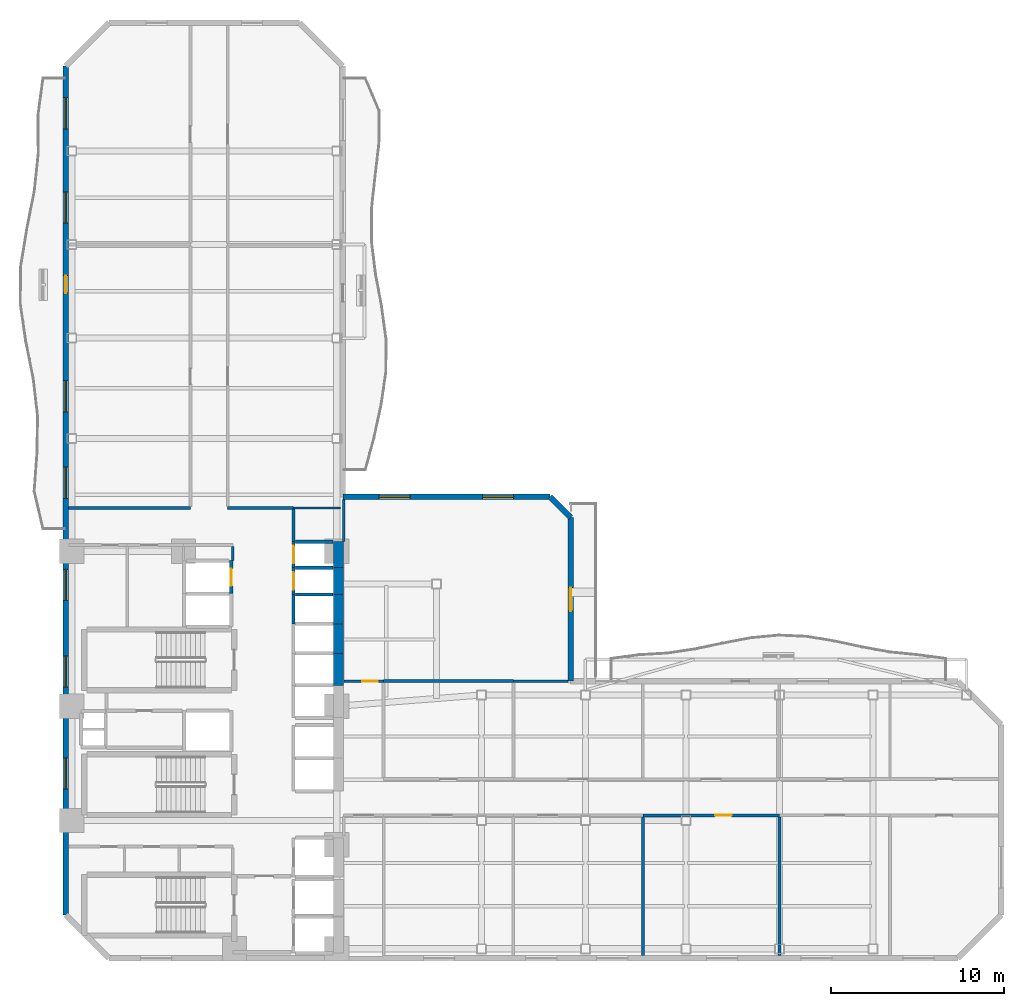
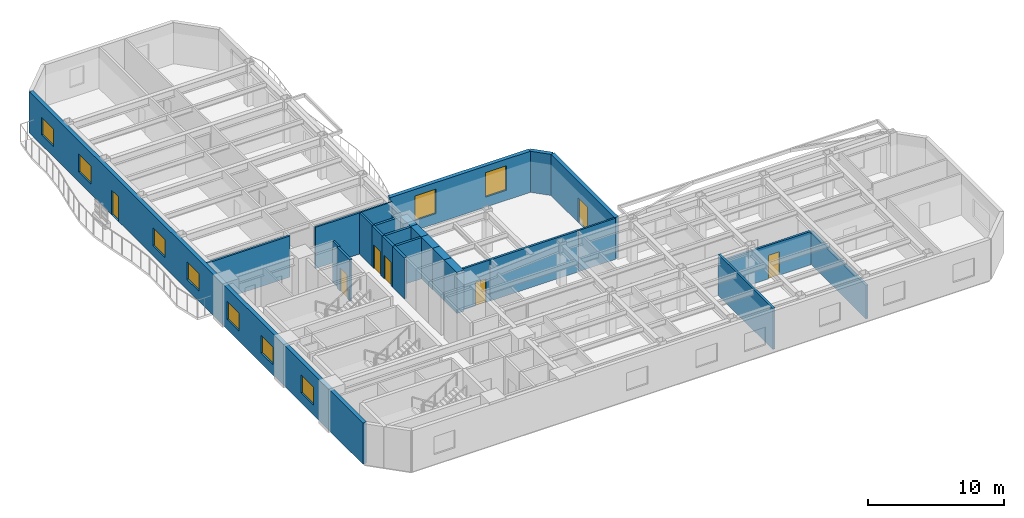
# One storey, part 5 of 10: 28 walls, 9 windows, 7 doors, 16 openings.
"""IFC4 building model written with IfcOpenShell, lengths in metres."""

from ifc_helpers import new_model, si_unit, direction, frame, frame_2d, origin, place, context, subcontext, project, spatial, rectangle, extrude, material, layer, layer_set, type_object, element, fill, save


model = new_model("IFC4")

# Units and contexts
model_context = context("Model", 3, precision=1e-05, world=origin(), true_north=direction((0.0, 1.0)))
body_context = subcontext(model_context, "Body", "Model", "MODEL_VIEW")
ifc_project = project(units=[si_unit("LENGTHUNIT", "METRE"), si_unit("AREAUNIT", "SQUARE_METRE"), si_unit("VOLUMEUNIT", "CUBIC_METRE"), si_unit("PLANEANGLEUNIT", "RADIAN"), si_unit("MASSUNIT", "GRAM", prefix="KILO")], contexts=[model_context])

# Site, building, storey
site_placement = place(None, origin())
site = spatial("IfcSite", under=ifc_project, at=site_placement, CompositionType="ELEMENT")
building_placement = place(site_placement, origin())
building = spatial("IfcBuilding", under=site, at=building_placement, Name="Mawjaban Terraces University", CompositionType="ELEMENT")
storey_placement = place(building_placement, frame((0.0, 0.0, 62.199951171875)))
storey = spatial("IfcBuildingStorey", under=building, at=storey_placement, Name="L14", CompositionType="ELEMENT", Elevation=62.199951171875)

# Wall
ifc_material_1 = material(Name="Acoustic masonry blockwork", Category="masonry")
ifc_layer_1 = layer(ifc_material_1, 0.179931640625)
ifc_layer_set_1 = layer_set([ifc_layer_1], Name="Acoustic masonry blockwork")
wall_type_1 = type_object("IfcWallType", Name="AcousticStudioWall_180", PredefinedType="PARTITIONING", material=ifc_layer_set_1)
wall_1_placement = place(storey_placement, frame((47.840087890625, 16.0, 0.0), z_axis=(0.0, 0.0, 1.0), x_axis=(-1.0, 0.0, 0.0)))
element("IfcWall", 1, at=wall_1_placement, inside=storey, type_object=wall_type_1, Name="L14 Design Studio 3 Partition 22", PredefinedType="PARTITIONING", context=body_context, shape_type="SweptSolid", body=[
    extrude(rectangle(XDim=7.489990234375, YDim=0.179931640625, at=frame_2d((3.7451171875, 0.0))), origin(), (0.0, 0.0, 1.0), 3.68994140625),
])

# Wall, opening, door
wall_2_placement = place(storey_placement, frame((55.320068359375, 8.25, 0.0), z_axis=(0.0, 0.0, 1.0), x_axis=(1.0, 0.0, 0.0)))
wall_2 = element("IfcWall", 2, at=wall_2_placement, inside=storey, type_object=wall_type_1, Name="L14 East Academic Spine Corridor Partition 23", PredefinedType="PARTITIONING", context=body_context, shape_type="SweptSolid", body=[
    extrude(rectangle(XDim=7.8798828125, YDim=0.179931640625, at=frame_2d((3.93994140625, 0.0))), origin(), (0.0, 0.0, 1.0), 2.9951171875),
])
opening_1_placement = place(wall_2_placement, frame((4.1650390625, 0.0, 0.0)))
opening_1 = element("IfcOpeningElement", 3, at=opening_1_placement, cuts=wall_2, Name="Opening ID-095", PredefinedType="OPENING", context=body_context, shape_type="SweptSolid", body=[
    extrude(rectangle(XDim=0.949951171875, YDim=2.10009765625, at=frame_2d((0.47509765625, 1.050048828125))), frame((0.0, 0.099853515625, 0.0), z_axis=(0.0, -1.0, 0.0), x_axis=(1.0, 0.0, 0.0)), (0.0, 0.0, 1.0), 0.199951171875),
])
ifc_material_2 = material(Name="Powder-coated steel frame and solid acoustic timber leaf", Category="steel")
door_type_1 = type_object("IfcDoorType", Name="StudioDoor_950x2100", OperationType="NOTDEFINED", PredefinedType="DOOR", material=ifc_material_2)
door_1_placement = place(opening_1_placement, origin())
door_1 = element("IfcDoor", 4, at=door_1_placement, inside=storey, type_object=door_type_1, Name="L14 Design Studio 6 Door", OperationType="SINGLE_SWING_RIGHT", OverallHeight=2.10009765625, OverallWidth=0.949951171875, PredefinedType="DOOR", context=body_context, shape_type="SweptSolid", body=[
    extrude(rectangle(XDim=0.949951171875, YDim=2.10009765625, at=frame_2d((0.47509765625, 1.050048828125))), frame((0.0, 0.02490234375, 0.0), z_axis=(0.0, -1.0, 0.0), x_axis=(1.0, 0.0, 0.0)), (0.0, 0.0, 1.0), 0.050048828125),
])
fill(opening_1, door_1)

# Walls
wall_3_placement = place(storey_placement, frame((55.320068359375, 0.155029296875, 0.0), z_axis=(0.0, 0.0, 1.0), x_axis=(0.0, 1.0, 0.0)))
element("IfcWall", 5, at=wall_3_placement, inside=storey, type_object=wall_type_1, Name="L14 Computational Laboratory 4 Partition 48", PredefinedType="PARTITIONING", context=body_context, shape_type="SweptSolid", body=[
    extrude(rectangle(XDim=8.010009765625, YDim=0.179931640625, at=frame_2d((4.0048828125, 0.0))), origin(), (0.0, 0.0, 1.0), 3.68994140625),
])
wall_4_placement = place(storey_placement, frame((63.199951171875, 0.155029296875, 0.0), z_axis=(0.0, 0.0, 1.0), x_axis=(0.0, 1.0, 0.0)))
element("IfcWall", 6, at=wall_4_placement, inside=storey, type_object=wall_type_1, Name="L14 Design Studio 6 Partition 50", PredefinedType="PARTITIONING", context=body_context, shape_type="SweptSolid", body=[
    extrude(rectangle(XDim=8.010009765625, YDim=0.179931640625, at=frame_2d((4.0048828125, 0.0))), origin(), (0.0, 0.0, 1.0), 2.9951171875),
])
ifc_material_3 = material(Name="Concrete C70/85", Category="concrete")
ifc_layer_2 = layer(ifc_material_3, 0.60009765625)
ifc_layer_set_2 = layer_set([ifc_layer_2], Name="Concrete C70/85")
wall_type_2 = type_object("IfcWallType", Name="CoreShearWall_600", PredefinedType="SHEAR", material=ifc_layer_set_2)
wall_5_placement = place(storey_placement, frame((37.75, 15.75, 0.0), z_axis=(0.0, 0.0, 1.0), x_axis=(0.0, 1.0, 0.0)))
element("IfcWall", 7, at=wall_5_placement, inside=storey, type_object=wall_type_2, Name="L14 Lift OL-2 Hoistway Wall East", PredefinedType="SHEAR", context=body_context, shape_type="SweptSolid", body=[
    extrude(rectangle(XDim=1.85009765625, YDim=0.60009765625, at=frame_2d((0.925048828125, 0.0))), origin(), (0.0, 0.0, 1.0), 3.68994140625),
])
for number, where, z_axis, x_axis, name in (
    (8, (37.75, 17.60009765625, 0.0), (0.0, 0.0, 1.0), (0.0, 1.0, 0.0), "L14 Lift PL-M1 Hoistway Wall East"),
    (9, (37.75, 19.300048828125, 0.0), (0.0, 0.0, 1.0), (0.0, 1.0, 0.0), "L14 Lift PL-M2 Hoistway Wall East"),
):
    element("IfcWall", number, at=place(storey_placement, frame(where, z_axis=z_axis, x_axis=x_axis)), inside=storey, type_object=wall_type_2, Name=name, PredefinedType="SHEAR", context=body_context, shape_type="SweptSolid", body=[
        extrude(rectangle(XDim=1.699951171875, YDim=0.60009765625, at=frame_2d((0.85009765625, 0.0))), origin(), (0.0, 0.0, 1.0), 3.68994140625),
    ])
wall_6_placement = place(storey_placement, frame((37.75, 21.0, 0.0), z_axis=(0.0, 0.0, 1.0), x_axis=(0.0, 1.0, 0.0)))
element("IfcWall", 10, at=wall_6_placement, inside=storey, type_object=wall_type_2, Name="L14 Lift PL-L1 Hoistway Wall East", PredefinedType="SHEAR", context=body_context, shape_type="SweptSolid", body=[
    extrude(rectangle(XDim=1.550048828125, YDim=0.60009765625, at=frame_2d((0.77490234375, 0.0))), origin(), (0.0, 0.0, 1.0), 3.68994140625),
])
wall_7_placement = place(storey_placement, frame((37.75, 22.550048828125, 0.0), z_axis=(0.0, 0.0, 1.0), x_axis=(0.0, 1.0, 0.0)))
element("IfcWall", 11, at=wall_7_placement, inside=storey, type_object=wall_type_2, Name="L14 Lift PL-L2 Hoistway Wall East", PredefinedType="SHEAR", context=body_context, shape_type="SweptSolid", body=[
    extrude(rectangle(XDim=1.5, YDim=0.60009765625, at=frame_2d((0.75, 0.0))), origin(), (0.0, 0.0, 1.0), 3.68994140625),
])
ifc_material_4 = material(Name="Fire-rated gypsum board on steel stud", Category="steel")
ifc_layer_3 = layer(ifc_material_4, 0.159912109375)
ifc_layer_set_3 = layer_set([ifc_layer_3], Name="Fire-rated gypsum board on steel stud")
wall_type_3 = type_object("IfcWallType", Name="CorridorPartition_160", PredefinedType="PARTITIONING", material=ifc_layer_set_3)
wall_8_placement = place(storey_placement, frame((29.199951171875, 26.0, 0.0), z_axis=(0.0, 0.0, 1.0), x_axis=(-1.0, 0.0, 0.0)))
element("IfcWall", 12, at=wall_8_placement, inside=storey, type_object=wall_type_3, Name="L14 North Core Cross-Corridor Partition 9", PredefinedType="PARTITIONING", context=body_context, shape_type="SweptSolid", body=[
    extrude(rectangle(XDim=7.044921875, YDim=0.159912109375, at=frame_2d((3.5224609375, 0.0))), origin(), (0.0, 0.0, 1.0), 3.68994140625),
])
wall_9_placement = place(storey_placement, frame((35.14990234375, 26.0, 0.0), z_axis=(0.0, 0.0, 1.0), x_axis=(-1.0, 0.0, 0.0)))
element("IfcWall", 13, at=wall_9_placement, inside=storey, type_object=wall_type_3, Name="L14 North Core Cross-Corridor Partition 13", PredefinedType="PARTITIONING", context=body_context, shape_type="SweptSolid", body=[
    extrude(rectangle(XDim=3.7998046875, YDim=0.159912109375, at=frame_2d((1.89990234375, 0.0))), origin(), (0.0, 0.0, 1.0), 3.68994140625),
])

# Wall, opening, door
wall_10_placement = place(storey_placement, frame((40.35009765625, 16.0, 0.0), z_axis=(0.0, 0.0, 1.0), x_axis=(-1.0, 0.0, 0.0)))
wall_10 = element("IfcWall", 14, at=wall_10_placement, inside=storey, type_object=wall_type_3, Name="L14 East Academic Corridor Vestibule Partition 18", PredefinedType="PARTITIONING", context=body_context, shape_type="SweptSolid", body=[
    extrude(rectangle(XDim=2.27001953125, YDim=0.159912109375, at=frame_2d((1.135009765625, 0.0))), origin(), (0.0, 0.0, 1.0), 3.68994140625),
])
opening_2_placement = place(wall_10_placement, frame((0.3349609375, 0.0, 0.0)))
opening_2 = element("IfcOpeningElement", 15, at=opening_2_placement, cuts=wall_10, Name="Opening ID-090", PredefinedType="OPENING", context=body_context, shape_type="SweptSolid", body=[
    extrude(rectangle(XDim=0.89990234375, YDim=2.10009765625, at=frame_2d((0.449951171875, 1.050048828125))), frame((0.0, 0.08984375, 0.0), z_axis=(0.0, -1.0, 0.0), x_axis=(1.0, 0.0, 0.0)), (0.0, 0.0, 1.0), 0.179931640625),
])
door_type_2 = type_object("IfcDoorType", Name="OfficeDoor_900x2100", OperationType="NOTDEFINED", PredefinedType="DOOR", material=ifc_material_2)
door_2_placement = place(opening_2_placement, origin())
door_2 = element("IfcDoor", 16, at=door_2_placement, inside=storey, type_object=door_type_2, Name="L14 Terrace Collaborative Study Room Door", OperationType="SINGLE_SWING_RIGHT", OverallHeight=2.10009765625, OverallWidth=0.89990234375, PredefinedType="DOOR", context=body_context, shape_type="SweptSolid", body=[
    extrude(rectangle(XDim=0.89990234375, YDim=2.10009765625, at=frame_2d((0.449951171875, 1.050048828125))), frame((0.0, 0.02490234375, 0.0), z_axis=(0.0, -1.0, 0.0), x_axis=(1.0, 0.0, 0.0)), (0.0, 0.0, 1.0), 0.050048828125),
])
fill(opening_2, door_2)

# Walls
wall_11_placement = place(storey_placement, frame((31.64990234375, 23.77490234375, 0.0), z_axis=(0.0, 0.0, 1.0), x_axis=(0.0, -1.0, 0.0)))
element("IfcWall", 17, at=wall_11_placement, inside=storey, type_object=wall_type_3, Name="L14 Passenger Lift Lobby Partition 40", PredefinedType="PARTITIONING", context=body_context, shape_type="SweptSolid", body=[
    extrude(rectangle(XDim=0.824951171875, YDim=0.159912109375, at=frame_2d((0.41259765625, 0.0))), origin(), (0.0, 0.0, 1.0), 3.68994140625),
])
wall_12_placement = place(storey_placement, frame((35.14990234375, 24.070068359375, 0.0), z_axis=(0.0, 0.0, 1.0), x_axis=(0.0, 1.0, 0.0)))
element("IfcWall", 18, at=wall_12_placement, inside=storey, type_object=wall_type_3, Name="L14 North Core Cross-Corridor Partition 41", PredefinedType="PARTITIONING", context=body_context, shape_type="SweptSolid", body=[
    extrude(rectangle(XDim=1.85498046875, YDim=0.159912109375, at=frame_2d((0.927490234375, 0.0))), origin(), (0.0, 0.0, 1.0), 3.68994140625),
])

# Wall, opening, door
ifc_material_5 = material(Name="Insulated terracotta rainscreen on concrete backup C40/50", Category="masonry")
ifc_layer_4 = layer(ifc_material_5, 0.320068359375)
ifc_layer_set_4 = layer_set([ifc_layer_4], Name="Insulated terracotta rainscreen on concrete backup C40/50")
wall_type_4 = type_object("IfcWallType", Name="ExtTerracottaWall_320", PredefinedType="SOLIDWALL", material=ifc_layer_set_4)
wall_13_placement = place(storey_placement, frame((51.14990234375, 16.0, 0.0), z_axis=(0.0, 0.0, 1.0), x_axis=(0.0, 1.0, 0.0)))
wall_13 = element("IfcWall", 19, at=wall_13_placement, inside=storey, type_object=wall_type_4, Name="L14 Exterior Terracotta Wall 6", PredefinedType="SOLIDWALL", context=body_context, shape_type="SweptSolid", body=[
    extrude(rectangle(XDim=9.44189453125, YDim=0.320068359375, at=frame_2d((4.720947265625, 0.0))), origin(), (0.0, 0.0, 1.0), 3.68994140625),
])
opening_3_placement = place(wall_13_placement, frame((4.0458984375, 0.0, 0.0)))
opening_3 = element("IfcOpeningElement", 20, at=opening_3_placement, cuts=wall_13, Name="Opening TD-135", PredefinedType="OPENING", context=body_context, shape_type="SweptSolid", body=[
    extrude(rectangle(XDim=1.35009765625, YDim=2.199951171875, at=frame_2d((0.675048828125, 1.10009765625))), frame((0.0, 0.169921875, 0.0), z_axis=(0.0, -1.0, 0.0), x_axis=(1.0, 0.0, 0.0)), (0.0, 0.0, 1.0), 0.340087890625),
])
ifc_material_6 = material(Name="Thermally broken anodised aluminium and laminated safety glass", Category="aluminium")
door_type_3 = type_object("IfcDoorType", Name="TerraceGlazedDoor_1350x2200", OperationType="NOTDEFINED", PredefinedType="DOOR", material=ifc_material_6)
door_3_placement = place(opening_3_placement, origin())
door_3 = element("IfcDoor", 21, at=door_3_placement, inside=storey, type_object=door_type_3, Name="L14 Terrace Access Door TER-L14-CLIMB", OperationType="SINGLE_SWING_RIGHT", OverallHeight=2.199951171875, OverallWidth=1.35009765625, PredefinedType="DOOR", context=body_context, shape_type="SweptSolid", body=[
    extrude(rectangle(XDim=1.35009765625, YDim=2.199951171875, at=frame_2d((0.675048828125, 1.10009765625))), frame((0.0, 0.02490234375, 0.0), z_axis=(0.0, -1.0, 0.0), x_axis=(1.0, 0.0, 0.0)), (0.0, 0.0, 1.0), 0.050048828125),
])
fill(opening_3, door_3)

# Wall
wall_14_placement = place(storey_placement, frame((51.14990234375, 25.44189453125, 0.0), z_axis=(0.0, 0.0, 1.0), x_axis=(-0.707034851297, 0.707178703759, 0.0)))
element("IfcWall", 22, at=wall_14_placement, inside=storey, type_object=wall_type_4, Name="L14 Exterior Terracotta Wall 7", PredefinedType="SOLIDWALL", context=body_context, shape_type="SweptSolid", body=[
    extrude(rectangle(XDim=1.697265625, YDim=0.320068359375, at=frame_2d((0.8486328125, 0.0))), origin(), (0.0, 0.0, 1.0), 3.68994140625),
])

# Wall, openings, windows
wall_15_placement = place(storey_placement, frame((49.949951171875, 26.64208984375, 0.0), z_axis=(0.0, 0.0, 1.0), x_axis=(-1.0, 0.0, 0.0)))
wall_15 = element("IfcWall", 23, at=wall_15_placement, inside=storey, type_object=wall_type_4, Name="L14 Exterior Terracotta Wall 8", PredefinedType="SOLIDWALL", context=body_context, shape_type="SweptSolid", body=[
    extrude(rectangle(XDim=11.949951171875, YDim=0.320068359375, at=frame_2d((5.97509765625, 0.0))), origin(), (0.0, 0.0, 1.0), 3.68994140625),
])
opening_4_placement = place(wall_15_placement, frame((2.087890625, 0.0, 0.89990234375)))
opening_4 = element("IfcOpeningElement", 24, at=opening_4_placement, cuts=wall_15, Name="Opening W-10", PredefinedType="OPENING", context=body_context, shape_type="SweptSolid", body=[
    extrude(rectangle(XDim=1.800048828125, YDim=2.199951171875, at=frame_2d((0.89990234375, 1.10009765625))), frame((0.0, 0.169921875, 0.0), z_axis=(0.0, -1.0, 0.0), x_axis=(1.0, 0.0, 0.0)), (0.0, 0.0, 1.0), 0.340087890625),
])
opening_5_placement = place(wall_15_placement, frame((8.06298828125, 0.0, 0.89990234375)))
opening_5 = element("IfcOpeningElement", 25, at=opening_5_placement, cuts=wall_15, Name="Opening W-10", PredefinedType="OPENING", context=body_context, shape_type="SweptSolid", body=[
    extrude(rectangle(XDim=1.800048828125, YDim=2.199951171875, at=frame_2d((0.89990234375, 1.10009765625))), frame((0.0, 0.169921875, 0.0), z_axis=(0.0, -1.0, 0.0), x_axis=(1.0, 0.0, 0.0)), (0.0, 0.0, 1.0), 0.340087890625),
])
ifc_material_7 = material(Name="Low-E solar-control double glazing in thermally broken aluminium frame", Category="aluminium")
window_type_1 = type_object("IfcWindowType", Name="Win_1800x2200", PartitioningType="SINGLE_PANEL", PredefinedType="WINDOW", material=ifc_material_7)
window_1_placement = place(opening_4_placement, origin())
window_1 = element("IfcWindow", 26, at=window_1_placement, inside=storey, type_object=window_type_1, Name="L14 Facade Window 8.1", OverallHeight=2.199951171875, OverallWidth=1.800048828125, PartitioningType="SINGLE_PANEL", PredefinedType="WINDOW", context=body_context, shape_type="SweptSolid", body=[
    extrude(rectangle(XDim=1.800048828125, YDim=2.199951171875, at=frame_2d((0.89990234375, 1.10009765625))), frame((0.0, 0.030029296875, 0.0), z_axis=(0.0, -1.0, 0.0), x_axis=(1.0, 0.0, 0.0)), (0.0, 0.0, 1.0), 0.06005859375),
])
fill(opening_4, window_1)
window_2_placement = place(opening_5_placement, origin())
window_2 = element("IfcWindow", 27, at=window_2_placement, inside=storey, type_object=window_type_1, Name="L14 Facade Window 8.2", OverallHeight=2.199951171875, OverallWidth=1.800048828125, PartitioningType="SINGLE_PANEL", PredefinedType="WINDOW", context=body_context, shape_type="SweptSolid", body=[
    extrude(rectangle(XDim=1.800048828125, YDim=2.199951171875, at=frame_2d((0.89990234375, 1.10009765625))), frame((0.0, 0.030029296875, 0.0), z_axis=(0.0, -1.0, 0.0), x_axis=(1.0, 0.0, 0.0)), (0.0, 0.0, 1.0), 0.06005859375),
])
fill(opening_5, window_2)

# Wall, openings, door, windows
wall_16_placement = place(storey_placement, frame((22.0, 51.5, 0.0), z_axis=(0.0, 0.0, 1.0), x_axis=(0.0, -1.0, 0.0)))
wall_16 = element("IfcWall", 28, at=wall_16_placement, inside=storey, type_object=wall_type_4, Name="L14 Exterior Terracotta Wall 13", PredefinedType="SOLIDWALL", context=body_context, shape_type="SweptSolid", body=[
    extrude(rectangle(XDim=49.0, YDim=0.320068359375, at=frame_2d((24.5, 0.0))), origin(), (0.0, 0.0, 1.0), 3.68994140625),
])
opening_6_placement = place(wall_16_placement, frame((12.10009765625, 0.0, 0.0)))
opening_6 = element("IfcOpeningElement", 29, at=opening_6_placement, cuts=wall_16, Name="Opening BD-100", PredefinedType="OPENING", context=body_context, shape_type="SweptSolid", body=[
    extrude(rectangle(XDim=1.0, YDim=2.199951171875, at=frame_2d((0.5, 1.10009765625))), frame((0.0, 0.169921875, 0.0), z_axis=(0.0, -1.0, 0.0), x_axis=(1.0, 0.0, 0.0)), (0.0, 0.0, 1.0), 0.340087890625),
])
opening_7_placement = place(wall_16_placement, frame((1.822021484375, 0.0, 0.89990234375)))
opening_7 = element("IfcOpeningElement", 30, at=opening_7_placement, cuts=wall_16, Name="Opening W-03", PredefinedType="OPENING", context=body_context, shape_type="SweptSolid", body=[
    extrude(rectangle(XDim=1.800048828125, YDim=1.60009765625, at=frame_2d((0.89990234375, 0.800048828125))), frame((0.0, 0.169921875, 0.0), z_axis=(0.0, -1.0, 0.0), x_axis=(1.0, 0.0, 0.0)), (0.0, 0.0, 1.0), 0.340087890625),
])
opening_8_placement = place(wall_16_placement, frame((7.26708984375, 0.0, 0.89990234375)))
opening_8 = element("IfcOpeningElement", 31, at=opening_8_placement, cuts=wall_16, Name="Opening W-03", PredefinedType="OPENING", context=body_context, shape_type="SweptSolid", body=[
    extrude(rectangle(XDim=1.800048828125, YDim=1.60009765625, at=frame_2d((0.89990234375, 0.800048828125))), frame((0.0, 0.169921875, 0.0), z_axis=(0.0, -1.0, 0.0), x_axis=(1.0, 0.0, 0.0)), (0.0, 0.0, 1.0), 0.340087890625),
])
opening_9_placement = place(wall_16_placement, frame((18.156005859375, 0.0, 0.89990234375)))
opening_9 = element("IfcOpeningElement", 32, at=opening_9_placement, cuts=wall_16, Name="Opening W-03", PredefinedType="OPENING", context=body_context, shape_type="SweptSolid", body=[
    extrude(rectangle(XDim=1.800048828125, YDim=1.60009765625, at=frame_2d((0.89990234375, 0.800048828125))), frame((0.0, 0.169921875, 0.0), z_axis=(0.0, -1.0, 0.0), x_axis=(1.0, 0.0, 0.0)), (0.0, 0.0, 1.0), 0.340087890625),
])
opening_10_placement = place(wall_16_placement, frame((23.14990234375, 0.0, 0.89990234375)))
opening_10 = element("IfcOpeningElement", 33, at=opening_10_placement, cuts=wall_16, Name="Opening W-03", PredefinedType="OPENING", context=body_context, shape_type="SweptSolid", body=[
    extrude(rectangle(XDim=1.800048828125, YDim=1.60009765625, at=frame_2d((0.89990234375, 0.800048828125))), frame((0.0, 0.169921875, 0.0), z_axis=(0.0, -1.0, 0.0), x_axis=(1.0, 0.0, 0.0)), (0.0, 0.0, 1.0), 0.340087890625),
])
opening_11_placement = place(wall_16_placement, frame((29.0439453125, 0.0, 0.89990234375)))
opening_11 = element("IfcOpeningElement", 34, at=opening_11_placement, cuts=wall_16, Name="Opening W-03", PredefinedType="OPENING", context=body_context, shape_type="SweptSolid", body=[
    extrude(rectangle(XDim=1.800048828125, YDim=1.60009765625, at=frame_2d((0.89990234375, 0.800048828125))), frame((0.0, 0.169921875, 0.0), z_axis=(0.0, -1.0, 0.0), x_axis=(1.0, 0.0, 0.0)), (0.0, 0.0, 1.0), 0.340087890625),
])
opening_12_placement = place(wall_16_placement, frame((34.0390625, 0.0, 0.89990234375)))
opening_12 = element("IfcOpeningElement", 35, at=opening_12_placement, cuts=wall_16, Name="Opening W-03", PredefinedType="OPENING", context=body_context, shape_type="SweptSolid", body=[
    extrude(rectangle(XDim=1.800048828125, YDim=1.60009765625, at=frame_2d((0.89990234375, 0.800048828125))), frame((0.0, 0.169921875, 0.0), z_axis=(0.0, -1.0, 0.0), x_axis=(1.0, 0.0, 0.0)), (0.0, 0.0, 1.0), 0.340087890625),
])
opening_13_placement = place(wall_16_placement, frame((39.93310546875, 0.0, 0.89990234375)))
opening_13 = element("IfcOpeningElement", 36, at=opening_13_placement, cuts=wall_16, Name="Opening W-03", PredefinedType="OPENING", context=body_context, shape_type="SweptSolid", body=[
    extrude(rectangle(XDim=1.800048828125, YDim=1.60009765625, at=frame_2d((0.89990234375, 0.800048828125))), frame((0.0, 0.169921875, 0.0), z_axis=(0.0, -1.0, 0.0), x_axis=(1.0, 0.0, 0.0)), (0.0, 0.0, 1.0), 0.340087890625),
])
door_type_4 = type_object("IfcDoorType", Name="BalconyGlazedDoor_1000x2200", OperationType="NOTDEFINED", PredefinedType="DOOR", material=ifc_material_6)
door_4_placement = place(opening_6_placement, origin())
door_4 = element("IfcDoor", 37, at=door_4_placement, inside=storey, type_object=door_type_4, Name="L14 Balcony Access Door west", OperationType="SINGLE_SWING_LEFT", OverallHeight=2.199951171875, OverallWidth=1.0, PredefinedType="DOOR", context=body_context, shape_type="SweptSolid", body=[
    extrude(rectangle(XDim=1.0, YDim=2.199951171875, at=frame_2d((0.5, 1.10009765625))), frame((0.0, 0.02490234375, 0.0), z_axis=(0.0, -1.0, 0.0), x_axis=(1.0, 0.0, 0.0)), (0.0, 0.0, 1.0), 0.050048828125),
])
fill(opening_6, door_4)
window_type_2 = type_object("IfcWindowType", Name="Win_1800x1600", PartitioningType="SINGLE_PANEL", PredefinedType="WINDOW", material=ifc_material_7)
window_3_placement = place(opening_7_placement, origin())
window_3 = element("IfcWindow", 38, at=window_3_placement, inside=storey, type_object=window_type_2, Name="L14 Facade Window 13.1", OverallHeight=1.60009765625, OverallWidth=1.800048828125, PartitioningType="SINGLE_PANEL", PredefinedType="WINDOW", context=body_context, shape_type="SweptSolid", body=[
    extrude(rectangle(XDim=1.800048828125, YDim=1.60009765625, at=frame_2d((0.89990234375, 0.800048828125))), frame((0.0, 0.030029296875, 0.0), z_axis=(0.0, -1.0, 0.0), x_axis=(1.0, 0.0, 0.0)), (0.0, 0.0, 1.0), 0.06005859375),
])
fill(opening_7, window_3)
window_4_placement = place(opening_8_placement, origin())
window_4 = element("IfcWindow", 39, at=window_4_placement, inside=storey, type_object=window_type_2, Name="L14 Facade Window 13.2", OverallHeight=1.60009765625, OverallWidth=1.800048828125, PartitioningType="SINGLE_PANEL", PredefinedType="WINDOW", context=body_context, shape_type="SweptSolid", body=[
    extrude(rectangle(XDim=1.800048828125, YDim=1.60009765625, at=frame_2d((0.89990234375, 0.800048828125))), frame((0.0, 0.030029296875, 0.0), z_axis=(0.0, -1.0, 0.0), x_axis=(1.0, 0.0, 0.0)), (0.0, 0.0, 1.0), 0.06005859375),
])
fill(opening_8, window_4)
window_5_placement = place(opening_9_placement, origin())
window_5 = element("IfcWindow", 40, at=window_5_placement, inside=storey, type_object=window_type_2, Name="L14 Facade Window 13.4", OverallHeight=1.60009765625, OverallWidth=1.800048828125, PartitioningType="SINGLE_PANEL", PredefinedType="WINDOW", context=body_context, shape_type="SweptSolid", body=[
    extrude(rectangle(XDim=1.800048828125, YDim=1.60009765625, at=frame_2d((0.89990234375, 0.800048828125))), frame((0.0, 0.030029296875, 0.0), z_axis=(0.0, -1.0, 0.0), x_axis=(1.0, 0.0, 0.0)), (0.0, 0.0, 1.0), 0.06005859375),
])
fill(opening_9, window_5)
window_6_placement = place(opening_10_placement, origin())
window_6 = element("IfcWindow", 41, at=window_6_placement, inside=storey, type_object=window_type_2, Name="L14 Facade Window 13.5", OverallHeight=1.60009765625, OverallWidth=1.800048828125, PartitioningType="SINGLE_PANEL", PredefinedType="WINDOW", context=body_context, shape_type="SweptSolid", body=[
    extrude(rectangle(XDim=1.800048828125, YDim=1.60009765625, at=frame_2d((0.89990234375, 0.800048828125))), frame((0.0, 0.030029296875, 0.0), z_axis=(0.0, -1.0, 0.0), x_axis=(1.0, 0.0, 0.0)), (0.0, 0.0, 1.0), 0.06005859375),
])
fill(opening_10, window_6)
window_7_placement = place(opening_11_placement, origin())
window_7 = element("IfcWindow", 42, at=window_7_placement, inside=storey, type_object=window_type_2, Name="L14 Facade Window 13.6", OverallHeight=1.60009765625, OverallWidth=1.800048828125, PartitioningType="SINGLE_PANEL", PredefinedType="WINDOW", context=body_context, shape_type="SweptSolid", body=[
    extrude(rectangle(XDim=1.800048828125, YDim=1.60009765625, at=frame_2d((0.89990234375, 0.800048828125))), frame((0.0, 0.030029296875, 0.0), z_axis=(0.0, -1.0, 0.0), x_axis=(1.0, 0.0, 0.0)), (0.0, 0.0, 1.0), 0.06005859375),
])
fill(opening_11, window_7)
window_8_placement = place(opening_12_placement, origin())
window_8 = element("IfcWindow", 43, at=window_8_placement, inside=storey, type_object=window_type_2, Name="L14 Facade Window 13.7", OverallHeight=1.60009765625, OverallWidth=1.800048828125, PartitioningType="SINGLE_PANEL", PredefinedType="WINDOW", context=body_context, shape_type="SweptSolid", body=[
    extrude(rectangle(XDim=1.800048828125, YDim=1.60009765625, at=frame_2d((0.89990234375, 0.800048828125))), frame((0.0, 0.030029296875, 0.0), z_axis=(0.0, -1.0, 0.0), x_axis=(1.0, 0.0, 0.0)), (0.0, 0.0, 1.0), 0.06005859375),
])
fill(opening_12, window_8)
window_9_placement = place(opening_13_placement, origin())
window_9 = element("IfcWindow", 44, at=window_9_placement, inside=storey, type_object=window_type_2, Name="L14 Facade Window 13.8", OverallHeight=1.60009765625, OverallWidth=1.800048828125, PartitioningType="SINGLE_PANEL", PredefinedType="WINDOW", context=body_context, shape_type="SweptSolid", body=[
    extrude(rectangle(XDim=1.800048828125, YDim=1.60009765625, at=frame_2d((0.89990234375, 0.800048828125))), frame((0.0, 0.030029296875, 0.0), z_axis=(0.0, -1.0, 0.0), x_axis=(1.0, 0.0, 0.0)), (0.0, 0.0, 1.0), 0.06005859375),
])
fill(opening_13, window_9)

# Walls
ifc_material_8 = material(Name="Concrete C40/50", Category="concrete")
ifc_layer_5 = layer(ifc_material_8, 0.199951171875)
ifc_layer_set_5 = layer_set([ifc_layer_5], Name="Concrete C40/50")
wall_type_5 = type_object("IfcWallType", Name="FireLobbyWall_200", PredefinedType="SOLIDWALL", material=ifc_layer_set_5)
wall_17_placement = place(storey_placement, frame((35.14990234375, 21.0, 0.0), z_axis=(0.0, 0.0, 1.0), x_axis=(0.0, -1.0, 0.0)))
element("IfcWall", 45, at=wall_17_placement, inside=storey, type_object=wall_type_5, Name="L14 Lift PL-M2 Hoistway Wall West", PredefinedType="SOLIDWALL", context=body_context, shape_type="SweptSolid", body=[
    extrude(rectangle(XDim=1.699951171875, YDim=0.199951171875, at=frame_2d((0.85009765625, 0.0))), origin(), (0.0, 0.0, 1.0), 3.68994140625),
])
wall_18_placement = place(storey_placement, frame((37.419921875, 21.0, 0.0), z_axis=(0.0, 0.0, 1.0), x_axis=(-1.0, 0.0, 0.0)))
element("IfcWall", 46, at=wall_18_placement, inside=storey, type_object=wall_type_5, Name="L14 Lift PL-M2 Hoistway Wall North", PredefinedType="SOLIDWALL", context=body_context, shape_type="SweptSolid", body=[
    extrude(rectangle(XDim=2.139892578125, YDim=0.199951171875, at=frame_2d((1.06982421875, 0.0))), origin(), (0.0, 0.0, 1.0), 3.68994140625),
])

# Wall, opening, door
wall_19_placement = place(storey_placement, frame((35.14990234375, 22.550048828125, 0.0), z_axis=(0.0, 0.0, 1.0), x_axis=(0.0, -1.0, 0.0)))
wall_19 = element("IfcWall", 47, at=wall_19_placement, inside=storey, type_object=wall_type_5, Name="L14 Lift PL-L1 Hoistway Wall West", PredefinedType="SOLIDWALL", context=body_context, shape_type="SweptSolid", body=[
    extrude(rectangle(XDim=1.550048828125, YDim=0.199951171875, at=frame_2d((0.77490234375, 0.0))), origin(), (0.0, 0.0, 1.0), 3.68994140625),
])
opening_14_placement = place(wall_19_placement, frame((0.27490234375, 0.0, 0.0)))
opening_14 = element("IfcOpeningElement", 48, at=opening_14_placement, cuts=wall_19, Name="Opening LD-PL-L1", PredefinedType="OPENING", context=body_context, shape_type="SweptSolid", body=[
    extrude(rectangle(XDim=1.0, YDim=2.10009765625, at=frame_2d((0.5, 1.050048828125))), frame((0.0, 0.10986328125, 0.0), z_axis=(0.0, -1.0, 0.0), x_axis=(1.0, 0.0, 0.0)), (0.0, 0.0, 1.0), 0.219970703125),
])
ifc_material_9 = material(Name="Powder-coated steel frame and fire-rated steel-faced leaf", Category="steel")
door_type_5 = type_object("IfcDoorType", Name="LiftLandingSliding_1000x2100", OperationType="NOTDEFINED", PredefinedType="DOOR", material=ifc_material_9)
door_5_placement = place(opening_14_placement, origin())
door_5 = element("IfcDoor", 49, at=door_5_placement, inside=storey, type_object=door_type_5, Name="L14 Lift PL-L1 Sliding Landing Door", OperationType="DOUBLE_DOOR_SLIDING", OverallHeight=2.10009765625, OverallWidth=1.0, PredefinedType="DOOR", context=body_context, shape_type="SweptSolid", body=[
    extrude(rectangle(XDim=1.0, YDim=2.10009765625, at=frame_2d((0.5, 1.050048828125))), frame((0.0, 0.02490234375, 0.0), z_axis=(0.0, -1.0, 0.0), x_axis=(1.0, 0.0, 0.0)), (0.0, 0.0, 1.0), 0.050048828125),
])
fill(opening_14, door_5)

# Wall
wall_20_placement = place(storey_placement, frame((37.419921875, 22.550048828125, 0.0), z_axis=(0.0, 0.0, 1.0), x_axis=(-1.0, 0.0, 0.0)))
element("IfcWall", 50, at=wall_20_placement, inside=storey, type_object=wall_type_5, Name="L14 Lift PL-L1 Hoistway Wall North", PredefinedType="SOLIDWALL", context=body_context, shape_type="SweptSolid", body=[
    extrude(rectangle(XDim=2.139892578125, YDim=0.199951171875, at=frame_2d((1.06982421875, 0.0))), origin(), (0.0, 0.0, 1.0), 3.68994140625),
])

# Wall, opening, door
wall_21_placement = place(storey_placement, frame((35.14990234375, 24.050048828125, 0.0), z_axis=(0.0, 0.0, 1.0), x_axis=(0.0, -1.0, 0.0)))
wall_21 = element("IfcWall", 51, at=wall_21_placement, inside=storey, type_object=wall_type_5, Name="L14 Lift PL-L2 Hoistway Wall West", PredefinedType="SOLIDWALL", context=body_context, shape_type="SweptSolid", body=[
    extrude(rectangle(XDim=1.5, YDim=0.199951171875, at=frame_2d((0.75, 0.0))), origin(), (0.0, 0.0, 1.0), 3.68994140625),
])
opening_15_placement = place(wall_21_placement, frame((0.25, 0.0, 0.0)))
opening_15 = element("IfcOpeningElement", 52, at=opening_15_placement, cuts=wall_21, Name="Opening LD-PL-L2", PredefinedType="OPENING", context=body_context, shape_type="SweptSolid", body=[
    extrude(rectangle(XDim=1.0, YDim=2.10009765625, at=frame_2d((0.5, 1.050048828125))), frame((0.0, 0.10986328125, 0.0), z_axis=(0.0, -1.0, 0.0), x_axis=(1.0, 0.0, 0.0)), (0.0, 0.0, 1.0), 0.219970703125),
])
door_6_placement = place(opening_15_placement, origin())
door_6 = element("IfcDoor", 53, at=door_6_placement, inside=storey, type_object=door_type_5, Name="L14 Lift PL-L2 Sliding Landing Door", OperationType="DOUBLE_DOOR_SLIDING", OverallHeight=2.10009765625, OverallWidth=1.0, PredefinedType="DOOR", context=body_context, shape_type="SweptSolid", body=[
    extrude(rectangle(XDim=1.0, YDim=2.10009765625, at=frame_2d((0.5, 1.050048828125))), frame((0.0, 0.02490234375, 0.0), z_axis=(0.0, -1.0, 0.0), x_axis=(1.0, 0.0, 0.0)), (0.0, 0.0, 1.0), 0.050048828125),
])
fill(opening_15, door_6)

# Wall
wall_22_placement = place(storey_placement, frame((37.419921875, 24.050048828125, 0.0), z_axis=(0.0, 0.0, 1.0), x_axis=(-1.0, 0.0, 0.0)))
element("IfcWall", 54, at=wall_22_placement, inside=storey, type_object=wall_type_5, Name="L14 Lift PL-L2 Hoistway Wall North", PredefinedType="SOLIDWALL", context=body_context, shape_type="SweptSolid", body=[
    extrude(rectangle(XDim=2.139892578125, YDim=0.199951171875, at=frame_2d((1.06982421875, 0.0))), origin(), (0.0, 0.0, 1.0), 3.68994140625),
])

# Wall, opening, door
wall_23_placement = place(storey_placement, frame((31.550048828125, 21.050048828125, 0.0), z_axis=(0.0, 0.0, 1.0), x_axis=(0.0, 1.0, 0.0)))
wall_23 = element("IfcWall", 55, at=wall_23_placement, inside=storey, type_object=wall_type_5, Name="L14 Lift PL-L3 Hoistway Wall East", PredefinedType="SOLIDWALL", context=body_context, shape_type="SweptSolid", body=[
    extrude(rectangle(XDim=1.89990234375, YDim=0.199951171875, at=frame_2d((0.949951171875, 0.0))), origin(), (0.0, 0.0, 1.0), 3.68994140625),
])
opening_16_placement = place(wall_23_placement, frame((0.449951171875, 0.0, 0.0)))
opening_16 = element("IfcOpeningElement", 56, at=opening_16_placement, cuts=wall_23, Name="Opening LD-PL-L3", PredefinedType="OPENING", context=body_context, shape_type="SweptSolid", body=[
    extrude(rectangle(XDim=1.0, YDim=2.10009765625, at=frame_2d((0.5, 1.050048828125))), frame((0.0, 0.10986328125, 0.0), z_axis=(0.0, -1.0, 0.0), x_axis=(1.0, 0.0, 0.0)), (0.0, 0.0, 1.0), 0.219970703125),
])
door_7_placement = place(opening_16_placement, origin())
door_7 = element("IfcDoor", 57, at=door_7_placement, inside=storey, type_object=door_type_5, Name="L14 Lift PL-L3 Sliding Landing Door", OperationType="DOUBLE_DOOR_SLIDING", OverallHeight=2.10009765625, OverallWidth=1.0, PredefinedType="DOOR", context=body_context, shape_type="SweptSolid", body=[
    extrude(rectangle(XDim=1.0, YDim=2.10009765625, at=frame_2d((0.5, 1.050048828125))), frame((0.0, 0.02490234375, 0.0), z_axis=(0.0, -1.0, 0.0), x_axis=(1.0, 0.0, 0.0)), (0.0, 0.0, 1.0), 0.050048828125),
])
fill(opening_16, door_7)

# Walls
ifc_material_10 = material(Name="Moisture-resistant gypsum board on steel stud", Category="steel")
ifc_layer_6 = layer(ifc_material_10, 0.14501953125)
ifc_layer_set_6 = layer_set([ifc_layer_6], Name="Moisture-resistant gypsum board on steel stud")
wall_type_6 = type_object("IfcWallType", Name="LabPartition_145", PredefinedType="PARTITIONING", material=ifc_layer_set_6)
wall_24_placement = place(storey_placement, frame((47.840087890625, 16.0, 0.0), z_axis=(0.0, 0.0, 1.0), x_axis=(1.0, 0.0, 0.0)))
element("IfcWall", 58, at=wall_24_placement, inside=storey, type_object=wall_type_6, Name="L14 Terrace Collaborative Study Room Partition 21", PredefinedType="PARTITIONING", context=body_context, shape_type="SweptSolid", body=[
    extrude(rectangle(XDim=3.155029296875, YDim=0.14501953125, at=frame_2d((1.57763671875, 0.0))), origin(), (0.0, 0.0, 1.0), 3.68994140625),
])
ifc_material_11 = material(Name="Gypsum plasterboard on steel stud", Category="steel")
ifc_layer_7 = layer(ifc_material_11, 0.125)
ifc_layer_set_7 = layer_set([ifc_layer_7], Name="Gypsum plasterboard on steel stud")
wall_type_7 = type_object("IfcWallType", Name="OfficePartition_125", PredefinedType="PARTITIONING", material=ifc_layer_set_7)
wall_25_placement = place(storey_placement, frame((35.14990234375, 26.0, 0.0), z_axis=(0.0, 0.0, 1.0), x_axis=(1.0, 0.0, 0.0)))
element("IfcWall", 59, at=wall_25_placement, inside=storey, type_object=wall_type_7, Name="L14 Classroom 13 Partition 14", PredefinedType="PARTITIONING", context=body_context, shape_type="SweptSolid", body=[
    extrude(rectangle(XDim=2.7001953125, YDim=0.125, at=frame_2d((1.35009765625, 0.0))), origin(), (0.0, 0.0, 1.0), 3.68994140625),
])
wall_26_placement = place(storey_placement, frame((38.050048828125, 26.487060546875, 0.0), z_axis=(0.0, 0.0, 1.0), x_axis=(0.0, -1.0, 0.0)))
element("IfcWall", 60, at=wall_26_placement, inside=storey, type_object=wall_type_7, Name="L14 Terrace Collaborative Study Room Partition 43", PredefinedType="PARTITIONING", context=body_context, shape_type="SweptSolid", body=[
    extrude(rectangle(XDim=2.43701171875, YDim=0.125, at=frame_2d((1.218505859375, 0.0))), origin(), (0.0, 0.0, 1.0), 2.9951171875),
])

save(model, "model.ifc")
